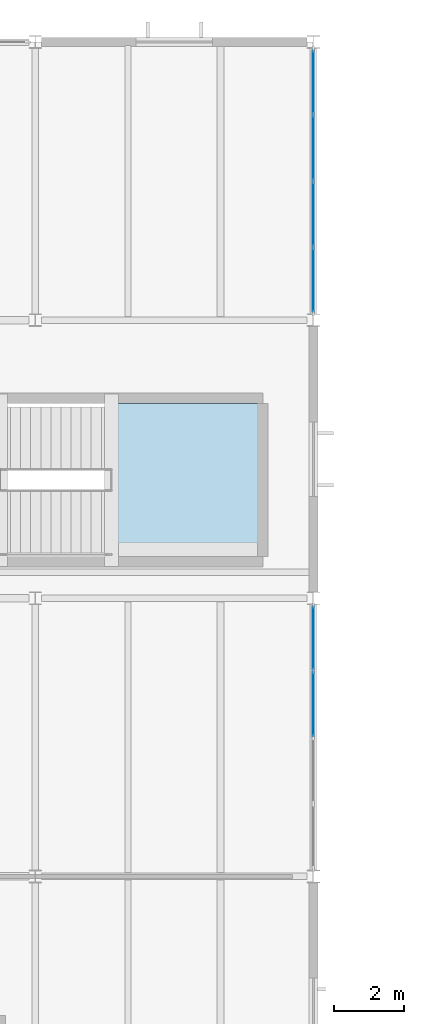
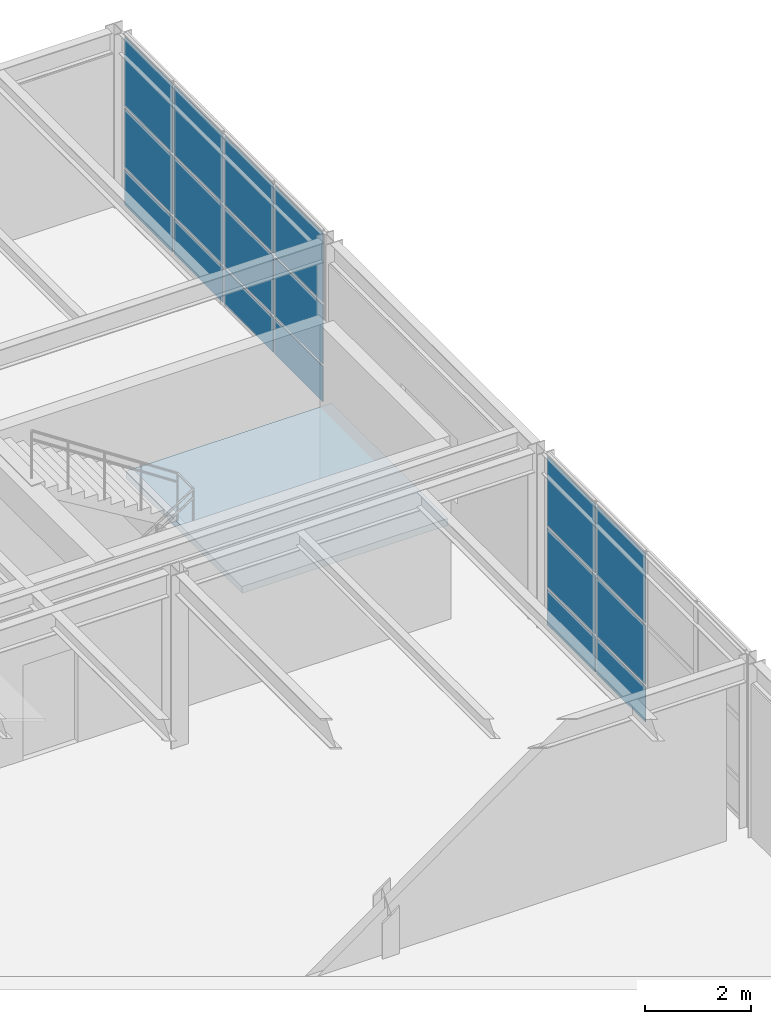
# One storey, part 36 of 50: 18 plates, 1 slab, 3 elements without a shape of their own.
"""IFC4 building model written with IfcOpenShell, lengths in metres."""

import ifcopenshell
import ifcopenshell.guid

model = None  # the IFC model being written
_history = None  # IfcOwnerHistory: only IFC2X3 demands one
_inside = {}  # id of a spatial element -> (the spatial element, [elements in it])
_under = {}  # id of a project, library or spatial element -> (it, [spatial elements below it])
_declared = {}  # id of a project -> (the project, [libraries it declares])
_typed = {}  # id of a type object -> (the type object, [elements of that type])
_made_of = {}  # id of a material, layer set ... -> (it, [elements and type objects made of it])


def new_model(schema):
    """Start an empty IFC model of exactly this schema.

    Asked for "IFC4X3", IfcOpenShell would pick the latest addendum, in which some entities
    have other attributes; the version numbers below select the first issue.
    IFC2X3 requires an IfcOwnerHistory on every rooted entity: one is made here for all.
    """
    global model, _history
    if schema == "IFC4X3":
        model = ifcopenshell.file(schema_version=(4, 3, 0, 0))
    else:
        model = ifcopenshell.file(schema=schema)
    _inside.clear()
    _under.clear()
    _declared.clear()
    _typed.clear()
    _made_of.clear()
    _history = None
    if model.schema == "IFC2X3":
        org = make("IfcOrganization", Name="unknown")
        user = make(
            "IfcPersonAndOrganization",
            ThePerson=make("IfcPerson", FamilyName="unknown"),
            TheOrganization=org,
        )
        app = make(
            "IfcApplication",
            ApplicationDeveloper=org,
            Version="unknown",
            ApplicationFullName="unknown",
            ApplicationIdentifier="unknown",
        )
        _history = make(
            "IfcOwnerHistory",
            OwningUser=user,
            OwningApplication=app,
            ChangeAction="ADDED",
            CreationDate=0,
        )
    return model


def make(cls, **values):
    """One entity of the class cls with the attributes given. An attribute that is None is left unset."""
    return model.create_entity(
        cls, **{name: value for name, value in values.items() if value is not None}
    )


def rooted(cls, **values):
    """An entity with a GlobalId (a new one), such as an element, a storey or a relation."""
    return make(cls, GlobalId=ifcopenshell.guid.new(), OwnerHistory=_history, **values)


def si_unit(unit_type, name, prefix=None):
    """IfcSIUnit, for example si_unit("LENGTHUNIT", "METRE", prefix="MILLI")."""
    return make("IfcSIUnit", UnitType=unit_type, Prefix=prefix, Name=name)


def assignment(units):
    """IfcUnitAssignment: the units of a project."""
    return None if units is None else make("IfcUnitAssignment", Units=units)


def point(xyz):
    """IfcCartesianPoint."""
    return None if xyz is None else make("IfcCartesianPoint", Coordinates=xyz)


def direction(xyz):
    """IfcDirection."""
    return None if xyz is None else make("IfcDirection", DirectionRatios=xyz)


def frame(location, z_axis=None, x_axis=None):
    """IfcAxis2Placement3D, a coordinate frame: its origin and axes. An axis left out is left unset."""
    return make(
        "IfcAxis2Placement3D",
        Location=point(location),
        Axis=direction(z_axis),
        RefDirection=direction(x_axis),
    )


def frame_2d(location, x_axis=None):
    """IfcAxis2Placement2D, a coordinate frame in the plane: its origin and x axis."""
    return make(
        "IfcAxis2Placement2D", Location=point(location), RefDirection=direction(x_axis)
    )


def origin():
    """The frame at (0, 0, 0) with its axes left unset."""
    return frame((0.0, 0.0, 0.0))


def origin_2d():
    """The frame at (0, 0) in the plane with its x axis left unset."""
    return frame_2d((0.0, 0.0))


def place(relative_to, where):
    """IfcLocalPlacement: puts the frame where relative to a parent placement (None: the world)."""
    return make(
        "IfcLocalPlacement", PlacementRelTo=relative_to, RelativePlacement=where
    )


def context(
    kind, dimensions, precision=None, world=None, true_north=None, identifier=None
):
    """IfcGeometricRepresentationContext, for example the 3D "Model" context."""
    return make(
        "IfcGeometricRepresentationContext",
        ContextIdentifier=identifier,
        ContextType=kind,
        CoordinateSpaceDimension=dimensions,
        Precision=precision,
        WorldCoordinateSystem=world,
        TrueNorth=true_north,
    )


def subcontext(parent, identifier, kind, view, scale=None):
    """IfcGeometricRepresentationSubContext, for example "Body" below "Model"."""
    return make(
        "IfcGeometricRepresentationSubContext",
        ContextIdentifier=identifier,
        ContextType=kind,
        ParentContext=parent,
        TargetScale=scale,
        TargetView=view,
    )


def project(units=None, contexts=None):
    """IfcProject with its units and contexts."""
    return rooted(
        "IfcProject",
        Name="project",
        RepresentationContexts=contexts,
        UnitsInContext=assignment(units),
    )


def spatial(cls, under=None, at=None, **own):
    """A site, building, storey or space (cls), placed at a placement, below another one or the project."""
    s = rooted(cls, ObjectPlacement=at, **own)
    if under is not None:
        _under.setdefault(under.id(), (under, []))[1].append(s)
    return s


def polyline(points):
    """IfcPolyline through the points."""
    return make("IfcPolyline", Points=[point(p) for p in points])


def profile(cls, at=None, kind="AREA", **sizes):
    """A parametric profile (cls). Its sizes go by their IFC names, for example OverallWidth=200.0."""
    return make(cls, ProfileType=kind, Position=at, **sizes)


def rectangle(**sizes):
    """IfcRectangleProfileDef."""
    return profile("IfcRectangleProfileDef", **sizes)


def outline(outer, holes=None, kind="AREA"):
    """IfcArbitraryClosedProfileDef: a profile drawn as a closed curve; with holes, ...WithVoids."""
    if holes is None:
        return make("IfcArbitraryClosedProfileDef", ProfileType=kind, OuterCurve=outer)
    return make(
        "IfcArbitraryProfileDefWithVoids",
        ProfileType=kind,
        OuterCurve=outer,
        InnerCurves=holes,
    )


def extrude(swept, where, along, depth):
    """IfcExtrudedAreaSolid: the profile swept, set in the frame where, extruded along a direction by depth."""
    return make(
        "IfcExtrudedAreaSolid",
        SweptArea=swept,
        Position=where,
        ExtrudedDirection=direction(along),
        Depth=depth,
    )


def shape(context_of_items, identifier, shape_type, items):
    """IfcShapeRepresentation: the items that make up one representation, for example the "Body"."""
    return make(
        "IfcShapeRepresentation",
        ContextOfItems=context_of_items,
        RepresentationIdentifier=identifier,
        RepresentationType=shape_type,
        Items=items,
    )


def material(Name=None, Category=None):
    """IfcMaterial."""
    return make("IfcMaterial", Name=Name, Category=Category)


def layer(
    of_material, thickness, ventilated=None, Name=None, Category=None, Priority=None
):
    """IfcMaterialLayer: one layer of a wall or slab, of a material (None: an air gap)."""
    return make(
        "IfcMaterialLayer",
        Material=of_material,
        LayerThickness=thickness,
        IsVentilated=ventilated,
        Name=Name,
        Category=Category,
        Priority=Priority,
    )


def layer_set(layers, Name=None):
    """IfcMaterialLayerSet."""
    return make("IfcMaterialLayerSet", MaterialLayers=layers, LayerSetName=Name)


def made_of(thing, what):
    """Note that an element or type object is made of a material, layer set ...; save() writes the relation."""
    if what is not None:
        _made_of.setdefault(what.id(), (what, []))[1].append(thing)
    return thing


def type_object(cls, material=None, **own):
    """A type object (cls), such as IfcWallType, which elements share."""
    return made_of(rooted(cls, **own), material)


def element(
    cls,
    number,
    at=None,
    inside=None,
    cuts=None,
    type_object=None,
    material=None,
    context=None,
    identifier="Body",
    shape_type=None,
    held_by="IfcProductDefinitionShape",
    body=None,
    shapes=None,
    **own,
):
    """One element of the class cls, such as IfcWall. Its Tag is "e" and its number.

    at: its placement. inside: the storey or other place that contains it. cuts: it is an
    opening in that element (IfcRelVoidsElement). A single representation is given by context,
    identifier, shape_type and body (its items); several are given by shapes. held_by: the class
    of the entity that holds the representations. save() writes the other relations.
    """
    e = rooted(cls, Tag="e%d" % number, ObjectPlacement=at, **own)
    if body is not None:
        shapes = [shape(context, identifier, shape_type, body)]
    if shapes is not None:
        e.Representation = make(held_by, Representations=shapes)
    if inside is not None:
        _inside.setdefault(inside.id(), (inside, []))[1].append(e)
    if cuts is not None:
        rooted(
            "IfcRelVoidsElement", RelatingBuildingElement=cuts, RelatedOpeningElement=e
        )
    if type_object is not None:
        _typed.setdefault(type_object.id(), (type_object, []))[1].append(e)
    return made_of(e, material)


def aggregate(whole, parts):
    """IfcRelAggregates: a whole, such as a stair, and the parts it consists of."""
    return rooted("IfcRelAggregates", RelatingObject=whole, RelatedObjects=parts)


def save(model, path):
    """Write the relations noted so far, then the file.

    IfcRelAggregates (storeys below a building ...), IfcRelContainedInSpatialStructure (elements
    in a storey), IfcRelDefinesByType, IfcRelAssociatesMaterial and IfcRelDeclares: one each for
    every whole, place, type object, material and project.
    """
    for whole, parts in _under.values():
        aggregate(whole, parts)
    for where, things in _inside.values():
        rooted(
            "IfcRelContainedInSpatialStructure",
            RelatedElements=things,
            RelatingStructure=where,
        )
    for kind, things in _typed.values():
        rooted("IfcRelDefinesByType", RelatedObjects=things, RelatingType=kind)
    for what, things in _made_of.values():
        rooted("IfcRelAssociatesMaterial", RelatedObjects=things, RelatingMaterial=what)
    for by, libraries in _declared.values():
        rooted("IfcRelDeclares", RelatingContext=by, RelatedDefinitions=libraries)
    model.write(path)


model = new_model("IFC4")

# Units and contexts
model_context = context("Model", 3, precision=1e-05, world=origin(), true_north=direction((0.0, 1.0)))
body_context = subcontext(model_context, "Body", "Model", "MODEL_VIEW")
ifc_project = project(units=[si_unit("LENGTHUNIT", "METRE"), si_unit("AREAUNIT", "SQUARE_METRE"), si_unit("VOLUMEUNIT", "CUBIC_METRE"), si_unit("PLANEANGLEUNIT", "RADIAN"), si_unit("MASSUNIT", "GRAM", prefix="KILO")], contexts=[model_context])

# Site, building, storey
site_placement = place(None, origin())
site = spatial("IfcSite", under=ifc_project, at=site_placement, CompositionType="ELEMENT")
building_placement = place(site_placement, origin())
building = spatial("IfcBuilding", under=site, at=building_placement, Name="Varnela Railside Interchange", CompositionType="ELEMENT")
storey_placement = place(building_placement, frame((0.0, 0.0, 15.39990234375)))
storey = spatial("IfcBuildingStorey", under=building, at=storey_placement, Name="L03", CompositionType="ELEMENT", Elevation=15.39990234375)

# Curtain wall, plates
ifc_material_1 = material(Name="Aluminium 6063-T6", Category="aluminium")
ifc_layer_1 = layer(ifc_material_1, 0.035888671875)
ifc_layer_set_1 = layer_set([ifc_layer_1], Name="Aluminium 6063-T6")
curtain_wall_type = type_object("IfcCurtainWallType", Name="Study Pavilion Gallery Curtain Wall CW-02", PredefinedType="USERDEFINED", material=ifc_layer_set_1)
curtain_wall_1_placement = place(storey_placement, origin())
curtain_wall_1 = element("IfcCurtainWall", 1, at=curtain_wall_1_placement, inside=storey, type_object=curtain_wall_type, Name="Curtain Wall CW-02 (L03) (CW-095)", ObjectType="CURTAIN WALL", PredefinedType="USERDEFINED")
ifc_material_2 = material(Name="Glass laminated double", Category="glass")
ifc_layer_2 = layer(ifc_material_2, 0.02001953125)
ifc_layer_set_2 = layer_set([ifc_layer_2], Name="Glass laminated double")
plate_type = type_object("IfcPlateType", Name="Low-E Vision Glazing Panel GL-01", PredefinedType="CURTAIN_PANEL", material=ifc_layer_set_2)
plate_1_placement = place(storey_placement, frame((140.0, 92.846923828125, 0.06005859375), z_axis=(0.0, 0.0, 1.0), x_axis=(0.0, -1.0, 0.0)))
plate_1 = element("IfcPlate", 2, at=plate_1_placement, type_object=plate_type, Name="CW-02 panel 1.1", PredefinedType="CURTAIN_PANEL", context=body_context, shape_type="SweptSolid", body=[
    extrude(rectangle(XDim=1.818115234375, YDim=0.02001953125, at=origin_2d()), origin(), (0.0, 0.0, 1.0), 0.81005859375),
])
plate_2_placement = place(storey_placement, frame((140.0, 92.846923828125, 0.93017578125), z_axis=(0.0, 0.0, 1.0), x_axis=(0.0, -1.0, 0.0)))
plate_2 = element("IfcPlate", 3, at=plate_2_placement, type_object=plate_type, Name="CW-02 panel 1.2", PredefinedType="CURTAIN_PANEL", context=body_context, shape_type="SweptSolid", body=[
    extrude(rectangle(XDim=1.818115234375, YDim=0.02001953125, at=origin_2d()), origin(), (0.0, 0.0, 1.0), 1.360107421875),
])
plate_3_placement = place(storey_placement, frame((140.0, 92.846923828125, 2.35009765625), z_axis=(0.0, 0.0, 1.0), x_axis=(0.0, -1.0, 0.0)))
plate_3 = element("IfcPlate", 4, at=plate_3_placement, type_object=plate_type, Name="CW-02 panel 1.3", PredefinedType="CURTAIN_PANEL", context=body_context, shape_type="SweptSolid", body=[
    extrude(rectangle(XDim=1.818115234375, YDim=0.02001953125, at=origin_2d()), origin(), (0.0, 0.0, 1.0), 1.590087890625),
])
plate_4_placement = place(storey_placement, frame((140.0, 90.9541015625, 0.06005859375), z_axis=(0.0, 0.0, 1.0), x_axis=(0.0, -1.0, 0.0)))
plate_4 = element("IfcPlate", 5, at=plate_4_placement, type_object=plate_type, Name="CW-02 panel 2.1", PredefinedType="CURTAIN_PANEL", context=body_context, shape_type="SweptSolid", body=[
    extrude(rectangle(XDim=1.847900390625, YDim=0.02001953125, at=origin_2d()), origin(), (0.0, 0.0, 1.0), 0.81005859375),
])
plate_5_placement = place(storey_placement, frame((140.0, 90.9541015625, 0.93017578125), z_axis=(0.0, 0.0, 1.0), x_axis=(0.0, -1.0, 0.0)))
plate_5 = element("IfcPlate", 6, at=plate_5_placement, type_object=plate_type, Name="CW-02 panel 2.2", PredefinedType="CURTAIN_PANEL", context=body_context, shape_type="SweptSolid", body=[
    extrude(rectangle(XDim=1.847900390625, YDim=0.02001953125, at=origin_2d()), origin(), (0.0, 0.0, 1.0), 1.360107421875),
])
plate_6_placement = place(storey_placement, frame((140.0, 90.9541015625, 2.35009765625), z_axis=(0.0, 0.0, 1.0), x_axis=(0.0, -1.0, 0.0)))
plate_6 = element("IfcPlate", 7, at=plate_6_placement, type_object=plate_type, Name="CW-02 panel 2.3", PredefinedType="CURTAIN_PANEL", context=body_context, shape_type="SweptSolid", body=[
    extrude(rectangle(XDim=1.847900390625, YDim=0.02001953125, at=origin_2d()), origin(), (0.0, 0.0, 1.0), 1.590087890625),
])
plate_7_placement = place(storey_placement, frame((140.0, 89.0458984375, 0.06005859375), z_axis=(0.0, 0.0, 1.0), x_axis=(0.0, -1.0, 0.0)))
plate_7 = element("IfcPlate", 8, at=plate_7_placement, type_object=plate_type, Name="CW-02 panel 3.1", PredefinedType="CURTAIN_PANEL", context=body_context, shape_type="SweptSolid", body=[
    extrude(rectangle(XDim=1.847900390625, YDim=0.02001953125, at=origin_2d()), origin(), (0.0, 0.0, 1.0), 0.81005859375),
])
plate_8_placement = place(storey_placement, frame((140.0, 89.0458984375, 0.93017578125), z_axis=(0.0, 0.0, 1.0), x_axis=(0.0, -1.0, 0.0)))
plate_8 = element("IfcPlate", 9, at=plate_8_placement, type_object=plate_type, Name="CW-02 panel 3.2", PredefinedType="CURTAIN_PANEL", context=body_context, shape_type="SweptSolid", body=[
    extrude(rectangle(XDim=1.847900390625, YDim=0.02001953125, at=origin_2d()), origin(), (0.0, 0.0, 1.0), 1.360107421875),
])
plate_9_placement = place(storey_placement, frame((140.0, 89.0458984375, 2.35009765625), z_axis=(0.0, 0.0, 1.0), x_axis=(0.0, -1.0, 0.0)))
plate_9 = element("IfcPlate", 10, at=plate_9_placement, type_object=plate_type, Name="CW-02 panel 3.3", PredefinedType="CURTAIN_PANEL", context=body_context, shape_type="SweptSolid", body=[
    extrude(rectangle(XDim=1.847900390625, YDim=0.02001953125, at=origin_2d()), origin(), (0.0, 0.0, 1.0), 1.590087890625),
])
plate_10_placement = place(storey_placement, frame((140.0, 87.153076171875, 0.06005859375), z_axis=(0.0, 0.0, 1.0), x_axis=(0.0, -1.0, 0.0)))
plate_10 = element("IfcPlate", 11, at=plate_10_placement, type_object=plate_type, Name="CW-02 panel 4.1", PredefinedType="CURTAIN_PANEL", context=body_context, shape_type="SweptSolid", body=[
    extrude(rectangle(XDim=1.818115234375, YDim=0.02001953125, at=origin_2d()), origin(), (0.0, 0.0, 1.0), 0.81005859375),
])
plate_11_placement = place(storey_placement, frame((140.0, 87.153076171875, 0.93017578125), z_axis=(0.0, 0.0, 1.0), x_axis=(0.0, -1.0, 0.0)))
plate_11 = element("IfcPlate", 12, at=plate_11_placement, type_object=plate_type, Name="CW-02 panel 4.2", PredefinedType="CURTAIN_PANEL", context=body_context, shape_type="SweptSolid", body=[
    extrude(rectangle(XDim=1.818115234375, YDim=0.02001953125, at=origin_2d()), origin(), (0.0, 0.0, 1.0), 1.360107421875),
])
plate_12_placement = place(storey_placement, frame((140.0, 87.153076171875, 2.35009765625), z_axis=(0.0, 0.0, 1.0), x_axis=(0.0, -1.0, 0.0)))
plate_12 = element("IfcPlate", 13, at=plate_12_placement, type_object=plate_type, Name="CW-02 panel 4.3", PredefinedType="CURTAIN_PANEL", context=body_context, shape_type="SweptSolid", body=[
    extrude(rectangle(XDim=1.818115234375, YDim=0.02001953125, at=origin_2d()), origin(), (0.0, 0.0, 1.0), 1.590087890625),
])
aggregate(curtain_wall_1, [plate_1, plate_2, plate_3, plate_4, plate_5, plate_6, plate_7, plate_8, plate_9, plate_10, plate_11, plate_12])

curtain_wall_2_placement = place(storey_placement, origin())
curtain_wall_2 = element("IfcCurtainWall", 14, at=curtain_wall_2_placement, inside=storey, type_object=curtain_wall_type, Name="Curtain Wall CW-02 (L03) (CW-096)", ObjectType="CURTAIN WALL", PredefinedType="USERDEFINED")
plate_13_placement = place(storey_placement, frame((140.0, 76.846923828125, 0.06005859375), z_axis=(0.0, 0.0, 1.0), x_axis=(0.0, -1.0, 0.0)))
plate_13 = element("IfcPlate", 15, at=plate_13_placement, type_object=plate_type, Name="CW-02 panel 1.1", PredefinedType="CURTAIN_PANEL", context=body_context, shape_type="SweptSolid", body=[
    extrude(rectangle(XDim=1.818115234375, YDim=0.02001953125, at=origin_2d()), origin(), (0.0, 0.0, 1.0), 0.81005859375),
])
plate_14_placement = place(storey_placement, frame((140.0, 76.846923828125, 0.93017578125), z_axis=(0.0, 0.0, 1.0), x_axis=(0.0, -1.0, 0.0)))
plate_14 = element("IfcPlate", 16, at=plate_14_placement, type_object=plate_type, Name="CW-02 panel 1.2", PredefinedType="CURTAIN_PANEL", context=body_context, shape_type="SweptSolid", body=[
    extrude(rectangle(XDim=1.818115234375, YDim=0.02001953125, at=origin_2d()), origin(), (0.0, 0.0, 1.0), 1.360107421875),
])
plate_15_placement = place(storey_placement, frame((140.0, 76.846923828125, 2.35009765625), z_axis=(0.0, 0.0, 1.0), x_axis=(0.0, -1.0, 0.0)))
plate_15 = element("IfcPlate", 17, at=plate_15_placement, type_object=plate_type, Name="CW-02 panel 1.3", PredefinedType="CURTAIN_PANEL", context=body_context, shape_type="SweptSolid", body=[
    extrude(rectangle(XDim=1.818115234375, YDim=0.02001953125, at=origin_2d()), origin(), (0.0, 0.0, 1.0), 1.590087890625),
])
plate_16_placement = place(storey_placement, frame((140.0, 74.9541015625, 0.06005859375), z_axis=(0.0, 0.0, 1.0), x_axis=(0.0, -1.0, 0.0)))
plate_16 = element("IfcPlate", 18, at=plate_16_placement, type_object=plate_type, Name="CW-02 panel 2.1", PredefinedType="CURTAIN_PANEL", context=body_context, shape_type="SweptSolid", body=[
    extrude(rectangle(XDim=1.847900390625, YDim=0.02001953125, at=origin_2d()), origin(), (0.0, 0.0, 1.0), 0.81005859375),
])
plate_17_placement = place(storey_placement, frame((140.0, 74.9541015625, 0.93017578125), z_axis=(0.0, 0.0, 1.0), x_axis=(0.0, -1.0, 0.0)))
plate_17 = element("IfcPlate", 19, at=plate_17_placement, type_object=plate_type, Name="CW-02 panel 2.2", PredefinedType="CURTAIN_PANEL", context=body_context, shape_type="SweptSolid", body=[
    extrude(rectangle(XDim=1.847900390625, YDim=0.02001953125, at=origin_2d()), origin(), (0.0, 0.0, 1.0), 1.360107421875),
])
plate_18_placement = place(storey_placement, frame((140.0, 74.9541015625, 2.35009765625), z_axis=(0.0, 0.0, 1.0), x_axis=(0.0, -1.0, 0.0)))
plate_18 = element("IfcPlate", 20, at=plate_18_placement, type_object=plate_type, Name="CW-02 panel 2.3", PredefinedType="CURTAIN_PANEL", context=body_context, shape_type="SweptSolid", body=[
    extrude(rectangle(XDim=1.847900390625, YDim=0.02001953125, at=origin_2d()), origin(), (0.0, 0.0, 1.0), 1.590087890625),
])
aggregate(curtain_wall_2, [plate_13, plate_14, plate_15, plate_16, plate_17, plate_18])

# Stair, slab
ifc_material_3 = material(Name="Concrete C40", Category="concrete")
stair_type = type_object("IfcStairType", Name="Study Pavilion Stair ST-180", PredefinedType="TWO_STRAIGHT_RUN_STAIR", material=ifc_material_3)
stair_placement = place(storey_placement, origin())
stair = element("IfcStair", 21, at=stair_placement, inside=storey, type_object=stair_type, Name="Stair ST-E2 (L03) (SF-178)", PredefinedType="TWO_STRAIGHT_RUN_STAIR")
ifc_layer_3 = layer(ifc_material_3, 0.159912109375)
ifc_layer_set_3 = layer_set([ifc_layer_3], Name="Concrete C40")
slab_type = type_object("IfcSlabType", Name="Stair Half-Landing Slab SL-LD", PredefinedType="LANDING", material=ifc_layer_set_3)
slab_placement = place(storey_placement, frame((0.0, 0.0, 1.940185546875)))
slab = element("IfcSlab", 22, at=slab_placement, type_object=slab_type, Name="ST-E2 landing 1 (SL-0175)", PredefinedType="LANDING", context=body_context, shape_type="SweptSolid", body=[
    extrude(outline(polyline([(134.159912109375, 79.199951171875), (138.659912109375, 79.199951171875), (138.659912109375, 83.60009765625), (134.159912109375, 83.60009765625), (134.159912109375, 79.199951171875)])), origin(), (0.0, 0.0, 1.0), 0.159912109375),
])
aggregate(stair, [slab])

save(model, "model.ifc")
